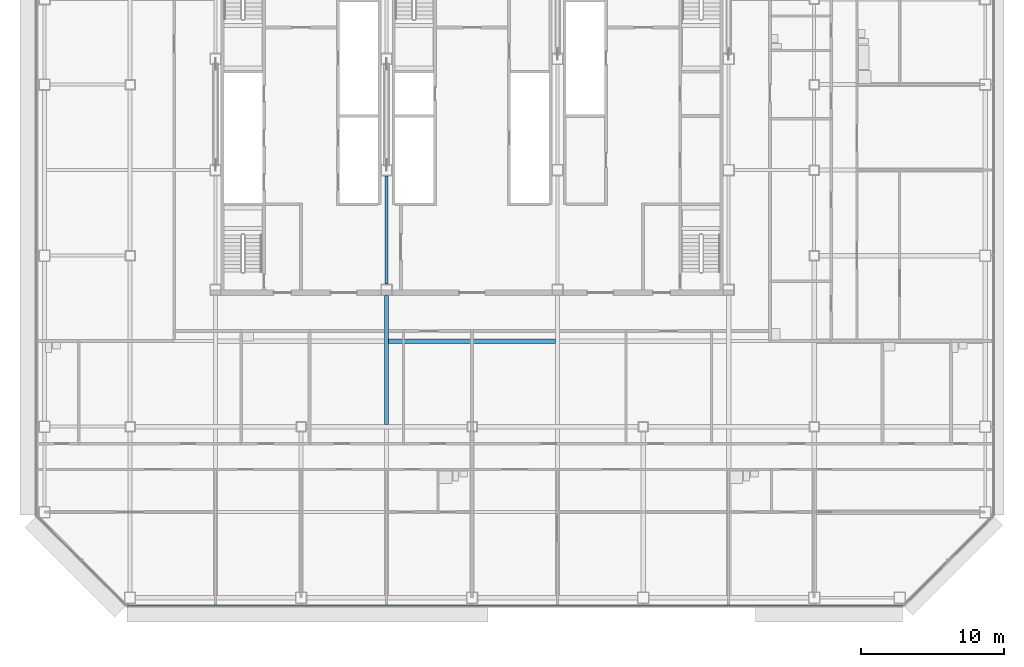
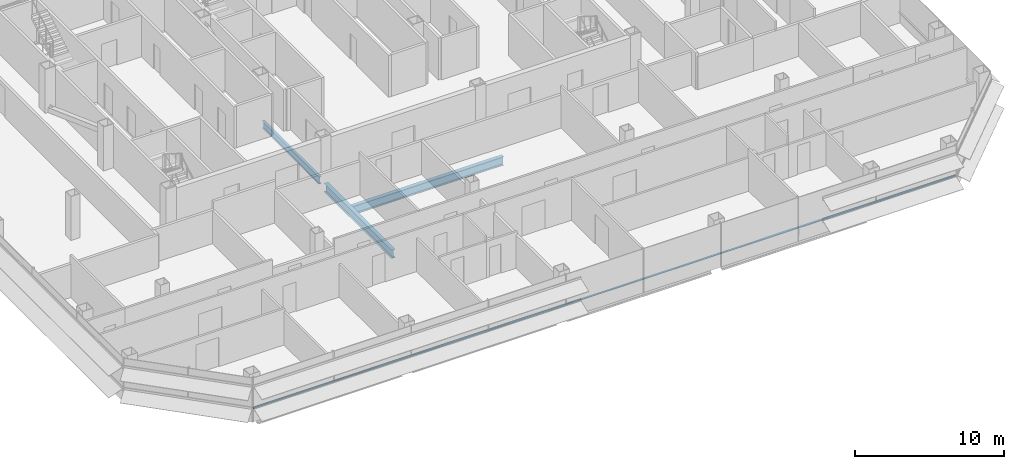
# One storey, part 7 of 25: 3 beams, 1 member, 1 element without a shape of its own.
"""IFC4 building model written with IfcOpenShell, lengths in metres."""

from ifc_helpers import new_model, si_unit, direction, frame, origin, origin_2d, place, context, subcontext, project, spatial, rectangle, i_section, extrude, material, material_profile, profile_set, type_object, element, aggregate, save


model = new_model("IFC4")

# Units and contexts
model_context = context("Model", 3, precision=1e-05, world=origin(), true_north=direction((0.0, 1.0)))
body_context = subcontext(model_context, "Body", "Model", "MODEL_VIEW")
ifc_project = project(units=[si_unit("LENGTHUNIT", "METRE"), si_unit("AREAUNIT", "SQUARE_METRE"), si_unit("VOLUMEUNIT", "CUBIC_METRE"), si_unit("PLANEANGLEUNIT", "RADIAN"), si_unit("MASSUNIT", "GRAM", prefix="KILO")], contexts=[model_context])

# Site, building, storey
site_placement = place(None, origin())
site = spatial("IfcSite", under=ifc_project, at=site_placement, CompositionType="ELEMENT")
building_placement = place(site_placement, origin())
building = spatial("IfcBuilding", under=site, at=building_placement, Name="Sorahane Residences", CompositionType="ELEMENT")
storey_placement = place(building_placement, frame((0.0, 0.0, 99.800048828125)))
storey = spatial("IfcBuildingStorey", under=building, at=storey_placement, Name="L21", CompositionType="ELEMENT", Elevation=99.800048828125)

# Curtain wall, member
ifc_material_1 = material(Name="Dark low-e glass and black anodised aluminium", Category="aluminium")
curtain_wall_type = type_object("IfcCurtainWallType", Name="Curtain wall CW-1 Typical unitised wall", PredefinedType="NOTDEFINED", material=ifc_material_1)
curtain_wall_placement = place(storey_placement, origin())
curtain_wall = element("IfcCurtainWall", 1, at=curtain_wall_placement, inside=storey, type_object=curtain_wall_type, Name="CW-1 curtain wall L21 S1", PredefinedType="NOTDEFINED")
ifc_material_2 = material(Name="Black anodised aluminium", Category="aluminium")
ifc_material_profile_1 = material_profile(ifc_material_2, rectangle(XDim=0.10009765625, YDim=0.06005859375, at=origin_2d()), Name="Curtain wall transom CW-1 black anodised aluminium 60x100")
ifc_profile_set_1 = profile_set([ifc_material_profile_1], Name="Black anodised aluminium")
member_type = type_object("IfcMemberType", Name="Curtain wall transom CW-1 black anodised aluminium 60x100", PredefinedType="USERDEFINED", material=ifc_profile_set_1)
member_placement = place(storey_placement, frame((-0.198486328125, -0.530029296875, 0.89990234375), z_axis=(1.0, 0.0, 0.0), x_axis=(0.0, 1.0, 0.0)))
member = element("IfcMember", 2, at=member_placement, type_object=member_type, Name="CW-1 transom L21 S1", ObjectType="TRANSOM", PredefinedType="USERDEFINED", context=body_context, shape_type="SweptSolid", body=[
    extrude(rectangle(XDim=0.10009765625, YDim=0.06005859375, at=origin_2d()), origin(), (0.0, 0.0, 1.0), 54.39697265625),
])
aggregate(curtain_wall, [member])

# Beams
ifc_material_3 = material(Name="Steel Q355B", Category="steel")
ifc_material_profile_2 = material_profile(ifc_material_3, i_section(OverallWidth=0.199951171875, OverallDepth=0.60009765625, WebThickness=0.010986328125, FlangeThickness=0.01708984375, FilletRadius=0.02392578125, at=origin_2d()), Name="HN 600x200x11x17")
ifc_profile_set_2 = profile_set([ifc_material_profile_2], Name="Steel Q355B")
beam_type_1 = type_object("IfcBeamType", Name="Steel floor beam HN 600x200x11x17 Q355B", PredefinedType="BEAM", material=ifc_profile_set_2)
beam_1_placement = place(storey_placement, frame((18.0, 22.0, -0.47998046875), z_axis=(0.0, 1.0, 0.0), x_axis=(-1.0, 0.0, 0.0)))
element("IfcBeam", 3, at=beam_1_placement, inside=storey, type_object=beam_type_1, Name="Beam L21 038", PredefinedType="BEAM", context=body_context, shape_type="SweptSolid", body=[
    extrude(i_section(OverallWidth=0.199951171875, OverallDepth=0.60009765625, WebThickness=0.010986328125, FlangeThickness=0.01708984375, FilletRadius=0.02392578125, at=origin_2d()), origin(), (0.0, 0.0, 1.0), 7.60009765625),
])
ifc_material_4 = material(Name="Steel Q355B", Category="steel")
ifc_material_profile_3 = material_profile(ifc_material_4, i_section(OverallWidth=0.300048828125, OverallDepth=0.699951171875, WebThickness=0.012939453125, FlangeThickness=0.02392578125, FilletRadius=0.028076171875, at=origin_2d()), Name="HN 700x300x13x24")
ifc_profile_set_3 = profile_set([ifc_material_profile_3], Name="Steel Q355B")
beam_type_2 = type_object("IfcBeamType", Name="Steel floor beam HN 700x300x13x24 Q355B", PredefinedType="BEAM", material=ifc_profile_set_3)
beam_2_placement = place(storey_placement, frame((18.0, 12.14990234375, -0.530029296875), z_axis=(0.0, 1.0, 0.0), x_axis=(-1.0, 0.0, 0.0)))
element("IfcBeam", 4, at=beam_2_placement, inside=storey, type_object=beam_type_2, Name="Beam L21 037", PredefinedType="BEAM", context=body_context, shape_type="SweptSolid", body=[
    extrude(i_section(OverallWidth=0.300048828125, OverallDepth=0.699951171875, WebThickness=0.012939453125, FlangeThickness=0.02392578125, FilletRadius=0.028076171875, at=origin_2d()), origin(), (0.0, 0.0, 1.0), 9.050048828125),
])
beam_3_placement = place(storey_placement, frame((18.14990234375, 18.0, -0.530029296875), z_axis=(1.0, 0.0, 0.0), x_axis=(0.0, 1.0, 0.0)))
element("IfcBeam", 5, at=beam_3_placement, inside=storey, type_object=beam_type_2, Name="Beam L21 081", PredefinedType="BEAM", context=body_context, shape_type="SweptSolid", body=[
    extrude(i_section(OverallWidth=0.300048828125, OverallDepth=0.699951171875, WebThickness=0.012939453125, FlangeThickness=0.02392578125, FilletRadius=0.028076171875, at=origin_2d()), origin(), (0.0, 0.0, 1.0), 11.7001953125),
])

save(model, "model.ifc")
